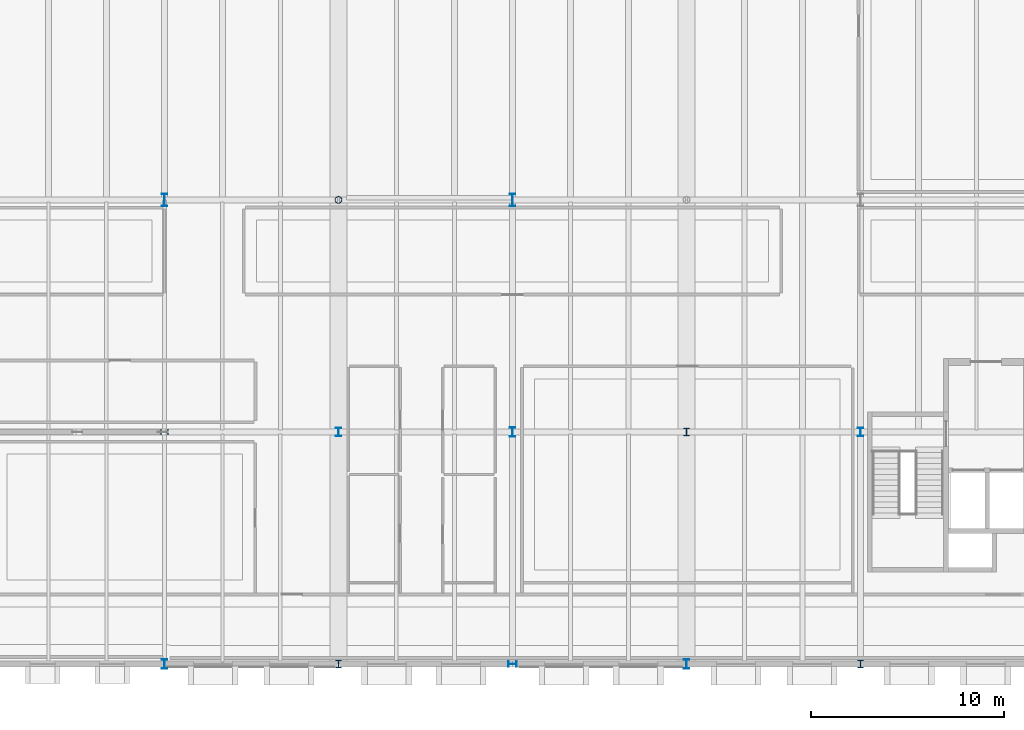
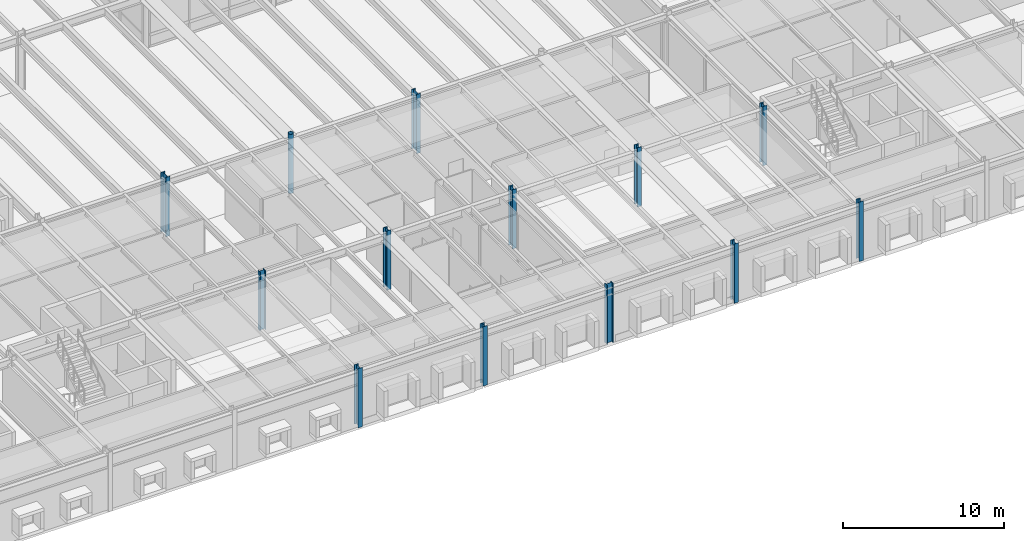
# One storey, part 4 of 127: 13 columns.
"""IFC4 building model written with IfcOpenShell, lengths in metres."""

from ifc_helpers import new_model, si_unit, direction, frame, origin, origin_2d, place, context, subcontext, project, spatial, hollow_circle, i_section, extrude, material, material_profile, profile_set, type_object, element, save


model = new_model("IFC4")

# Units and contexts
model_context = context("Model", 3, precision=1e-05, world=origin(), true_north=direction((0.0, 1.0)))
body_context = subcontext(model_context, "Body", "Model", "MODEL_VIEW")
ifc_project = project(units=[si_unit("LENGTHUNIT", "METRE"), si_unit("AREAUNIT", "SQUARE_METRE"), si_unit("VOLUMEUNIT", "CUBIC_METRE"), si_unit("PLANEANGLEUNIT", "RADIAN"), si_unit("MASSUNIT", "GRAM", prefix="KILO")], contexts=[model_context])

# Site, building, storey
site_placement = place(None, origin())
site = spatial("IfcSite", under=ifc_project, at=site_placement, CompositionType="ELEMENT")
building_placement = place(site_placement, origin())
building = spatial("IfcBuilding", under=site, at=building_placement, Name="Montelvaro Courts of Justice", CompositionType="ELEMENT")
storey_placement = place(building_placement, frame((0.0, 0.0, 5.39990234375)))
storey = spatial("IfcBuildingStorey", under=building, at=storey_placement, Name="L01", CompositionType="ELEMENT", Elevation=5.39990234375)

# Columns
ifc_material = material(Name="Steel S355", Category="steel")
ifc_material_profile_1 = material_profile(ifc_material, hollow_circle(Radius=0.177734375, WallThickness=0.01611328125, at=origin_2d()), Name="CHS 355.6x16")
ifc_profile_set_1 = profile_set([ifc_material_profile_1], Name="Steel S355")
column_type_1 = type_object("IfcColumnType", Name="Col_CHS356", PredefinedType="PILASTER", material=ifc_profile_set_1)
column_placement = place(storey_placement, frame((81.0, 24.0, 0.0), z_axis=(0.0, 0.0, 1.0), x_axis=(1.0, 0.0, 0.0)))
element("IfcColumn", 1, at=column_placement, inside=storey, type_object=column_type_1, Name="Column C-19 L01 10/C", PredefinedType="PILASTER", context=body_context, shape_type="SweptSolid", body=[
    extrude(hollow_circle(Radius=0.177734375, WallThickness=0.01611328125, at=origin_2d()), origin(), (0.0, 0.0, 1.0), 4.5),
])
ifc_material_profile_2 = material_profile(ifc_material, i_section(OverallWidth=0.300048828125, OverallDepth=0.39990234375, WebThickness=0.013427734375, FlangeThickness=0.02392578125, at=origin_2d()), Name="HEB 400")
ifc_profile_set_2 = profile_set([ifc_material_profile_2], Name="Steel S355")
column_type_2 = type_object("IfcColumnType", Name="Col_HEB400", PredefinedType="COLUMN", material=ifc_profile_set_2)
for number, where, z_axis, x_axis, name in (
    (2, (72.0, 12.0, 0.0), (0.0, 0.0, 1.0), (0.0, 1.0, 0.0), "Column C-07 L01 9/B"),
    (3, (81.0, 0.0, 0.0), (0.0, 0.0, 1.0), (1.0, 0.0, 0.0), "Column C-07 L01 10/A"),
    (4, (99.0, 12.0, 0.0), (0.0, 0.0, 1.0), (1.0, 0.0, 0.0), "Column C-07 L01 12/B"),
    (5, (108.0, 0.0, 0.0), (0.0, 0.0, 1.0), (1.0, 0.0, 0.0), "Column C-07 L01 13/A"),
):
    element("IfcColumn", number, at=place(storey_placement, frame(where, z_axis=z_axis, x_axis=x_axis)), inside=storey, type_object=column_type_2, Name=name, PredefinedType="COLUMN", context=body_context, shape_type="SweptSolid", body=[
        extrude(i_section(OverallWidth=0.300048828125, OverallDepth=0.39990234375, WebThickness=0.013427734375, FlangeThickness=0.02392578125, at=origin_2d()), origin(), (0.0, 0.0, 1.0), 4.5),
    ])
ifc_material_profile_3 = material_profile(ifc_material, i_section(OverallWidth=0.300048828125, OverallDepth=0.449951171875, WebThickness=0.013916015625, FlangeThickness=0.02587890625, at=origin_2d()), Name="HEB 450")
ifc_profile_set_3 = profile_set([ifc_material_profile_3], Name="Steel S355")
column_type_3 = type_object("IfcColumnType", Name="Col_HEB450", PredefinedType="COLUMN", material=ifc_profile_set_3)
for number, where, z_axis, x_axis, name in (
    (6, (81.0, 12.0, 0.0), (0.0, 0.0, 1.0), (1.0, 0.0, 0.0), "Column C-08 L01 10/B"),
    (7, (90.0, 0.0, 0.0), (0.0, 0.0, 1.0), (0.0, 1.0, 0.0), "Column C-08 L01 11/A"),
    (8, (108.0, 12.0, 0.0), (0.0, 0.0, 1.0), (1.0, 0.0, 0.0), "Column C-08 L01 13/B"),
):
    element("IfcColumn", number, at=place(storey_placement, frame(where, z_axis=z_axis, x_axis=x_axis)), inside=storey, type_object=column_type_3, Name=name, PredefinedType="COLUMN", context=body_context, shape_type="SweptSolid", body=[
        extrude(i_section(OverallWidth=0.300048828125, OverallDepth=0.449951171875, WebThickness=0.013916015625, FlangeThickness=0.02587890625, at=origin_2d()), origin(), (0.0, 0.0, 1.0), 4.5),
    ])
ifc_material_profile_4 = material_profile(ifc_material, i_section(OverallWidth=0.300048828125, OverallDepth=0.5, WebThickness=0.014404296875, FlangeThickness=0.028076171875, at=origin_2d()), Name="HEB 500")
ifc_profile_set_4 = profile_set([ifc_material_profile_4], Name="Steel S355")
column_type_4 = type_object("IfcColumnType", Name="Col_HEB500", PredefinedType="COLUMN", material=ifc_profile_set_4)
for number, where, z_axis, x_axis, name in (
    (9, (72.0, 0.0, 0.0), (0.0, 0.0, 1.0), (1.0, 0.0, 0.0), "Column C-09 L01 9/A"),
    (10, (90.0, 12.0, 0.0), (0.0, 0.0, 1.0), (1.0, 0.0, 0.0), "Column C-09 L01 11/B"),
    (11, (99.0, 0.0, 0.0), (0.0, 0.0, 1.0), (1.0, 0.0, 0.0), "Column C-09 L01 12/A"),
):
    element("IfcColumn", number, at=place(storey_placement, frame(where, z_axis=z_axis, x_axis=x_axis)), inside=storey, type_object=column_type_4, Name=name, PredefinedType="COLUMN", context=body_context, shape_type="SweptSolid", body=[
        extrude(i_section(OverallWidth=0.300048828125, OverallDepth=0.5, WebThickness=0.014404296875, FlangeThickness=0.028076171875, at=origin_2d()), origin(), (0.0, 0.0, 1.0), 4.5),
    ])
ifc_material_profile_5 = material_profile(ifc_material, i_section(OverallWidth=0.300048828125, OverallDepth=0.64990234375, WebThickness=0.01611328125, FlangeThickness=0.031005859375, at=origin_2d()), Name="HEB 650")
ifc_profile_set_5 = profile_set([ifc_material_profile_5], Name="Steel S355")
column_type_5 = type_object("IfcColumnType", Name="Col_HEB650", PredefinedType="COLUMN", material=ifc_profile_set_5)
for number, where, z_axis, x_axis, name in (
    (12, (72.0, 24.0, 0.0), (0.0, 0.0, 1.0), (1.0, 0.0, 0.0), "Column C-12 L01 9/C"),
    (13, (90.0, 24.0, 0.0), (0.0, 0.0, 1.0), (1.0, 0.0, 0.0), "Column C-12 L01 11/C"),
):
    element("IfcColumn", number, at=place(storey_placement, frame(where, z_axis=z_axis, x_axis=x_axis)), inside=storey, type_object=column_type_5, Name=name, PredefinedType="COLUMN", context=body_context, shape_type="SweptSolid", body=[
        extrude(i_section(OverallWidth=0.300048828125, OverallDepth=0.64990234375, WebThickness=0.01611328125, FlangeThickness=0.031005859375, at=origin_2d()), origin(), (0.0, 0.0, 1.0), 4.5),
    ])

save(model, "model.ifc")
